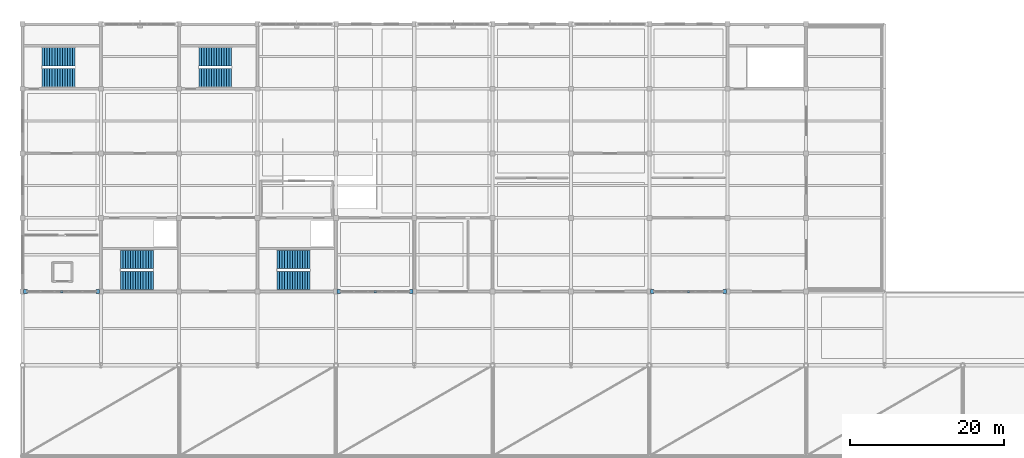
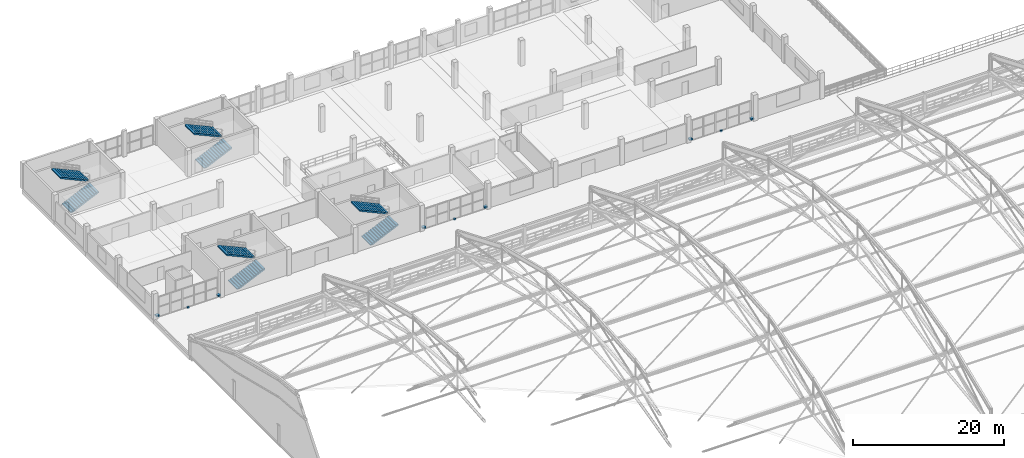
# One storey, part 127 of 135: 9 discrete accessories, 8 stair flights, 4 elements without a shape of their own.
"""IFC4 building model written with IfcOpenShell, lengths in metres."""

from ifc_helpers import new_model, si_unit, direction, frame, origin, origin_2d, place, context, subcontext, project, spatial, polyline, rectangle, outline, extrude, material, type_object, element, aggregate, save


model = new_model("IFC4")

# Units and contexts
model_context = context("Model", 3, precision=1e-05, world=origin(), true_north=direction((0.0, 1.0)))
body_context = subcontext(model_context, "Body", "Model", "MODEL_VIEW")
ifc_project = project(units=[si_unit("LENGTHUNIT", "METRE"), si_unit("AREAUNIT", "SQUARE_METRE"), si_unit("VOLUMEUNIT", "CUBIC_METRE"), si_unit("PLANEANGLEUNIT", "RADIAN"), si_unit("MASSUNIT", "GRAM", prefix="KILO")], contexts=[model_context])

# Site, building, storey
site_placement = place(None, origin())
site = spatial("IfcSite", under=ifc_project, at=site_placement, CompositionType="ELEMENT")
building_placement = place(site_placement, origin())
building = spatial("IfcBuilding", under=site, at=building_placement, Name="Brelvane Convention Centre", CompositionType="ELEMENT")
storey_placement = place(building_placement, frame((0.0, 0.0, 15.0)))
storey = spatial("IfcBuildingStorey", under=building, at=storey_placement, Name="L03", CompositionType="ELEMENT", Elevation=15.0)

# Stair, stair flights
ifc_material_1 = material(Name="Concrete M40", Category="concrete")
stair_type = type_object("IfcStairType", Name="Exit Stair ST-CORE", PredefinedType="HALF_TURN_STAIR", material=ifc_material_1)
stair_1_placement = place(storey_placement, origin())
stair_1 = element("IfcStair", 1, at=stair_1_placement, inside=storey, type_object=stair_type, Name="Exit Stair ST-06 (L03 to L04)", PredefinedType="HALF_TURN_STAIR")
ifc_material_2 = material(Name="Concrete M40", Category="concrete")
stair_flight_type = type_object("IfcStairFlightType", Name="Stair Flight SF-C14", PredefinedType="STRAIGHT", material=ifc_material_2)
stair_flight_1_placement = place(storey_placement, frame((12.75, 110.6298828125, 0.0), z_axis=(0.0, 0.0, 1.0), x_axis=(1.0, 0.0, 0.0)))
stair_flight_1 = element("IfcStairFlight", 2, at=stair_flight_1_placement, type_object=stair_flight_type, Name="Stair ST-06 L03 Flight 1", NumberOfRisers=14, NumberOfTreads=13, PredefinedType="STRAIGHT", RiserHeight=0.15, TreadLength=0.33, context=body_context, shape_type="SweptSolid", body=[
    extrude(outline(polyline([(0.0, 0.0), (0.0, 0.14990234375), (0.330078125, 0.14990234375), (0.330078125, 0.300048828125), (0.659912109375, 0.300048828125), (0.659912109375, 0.449951171875), (0.989990234375, 0.449951171875), (0.989990234375, 0.60009765625), (1.320068359375, 0.60009765625), (1.320068359375, 0.75), (1.64990234375, 0.75), (1.64990234375, 0.89990234375), (1.97998046875, 0.89990234375), (1.97998046875, 1.050048828125), (2.31005859375, 1.050048828125), (2.31005859375, 1.199951171875), (2.639892578125, 1.199951171875), (2.639892578125, 1.35009765625), (2.969970703125, 1.35009765625), (2.969970703125, 1.5), (3.300048828125, 1.5), (3.300048828125, 1.64990234375), (3.6298828125, 1.64990234375), (3.6298828125, 1.800048828125), (3.9599609375, 1.800048828125), (3.9599609375, 1.949951171875), (4.2900390625, 1.949951171875), (4.2900390625, 2.10009765625), (4.2900390625, 1.75244140625), (0.434814453125, 0.0), (0.0, 0.0)])), frame((0.0, 1.18994140625, 0.0), z_axis=(0.0, -1.0, 0.0), x_axis=(1.0, 0.0, 0.0)), (0.0, 0.0, 1.0), 2.3798828125),
])
stair_flight_2_placement = place(storey_placement, frame((17.0400390625, 113.3701171875, 2.10009765625), z_axis=(0.0, 0.0, 1.0), x_axis=(-1.0, 0.0, 0.0)))
stair_flight_2 = element("IfcStairFlight", 3, at=stair_flight_2_placement, type_object=stair_flight_type, Name="Stair ST-06 L03 Flight 2", NumberOfRisers=14, NumberOfTreads=13, PredefinedType="STRAIGHT", RiserHeight=0.15, TreadLength=0.33, context=body_context, shape_type="SweptSolid", body=[
    extrude(outline(polyline([(0.0, 0.0), (0.0, 0.14990234375), (0.330078125, 0.14990234375), (0.330078125, 0.300048828125), (0.659912109375, 0.300048828125), (0.659912109375, 0.449951171875), (0.989990234375, 0.449951171875), (0.989990234375, 0.60009765625), (1.320068359375, 0.60009765625), (1.320068359375, 0.75), (1.64990234375, 0.75), (1.64990234375, 0.89990234375), (1.97998046875, 0.89990234375), (1.97998046875, 1.050048828125), (2.31005859375, 1.050048828125), (2.31005859375, 1.199951171875), (2.639892578125, 1.199951171875), (2.639892578125, 1.35009765625), (2.969970703125, 1.35009765625), (2.969970703125, 1.5), (3.300048828125, 1.5), (3.300048828125, 1.64990234375), (3.6298828125, 1.64990234375), (3.6298828125, 1.800048828125), (3.9599609375, 1.800048828125), (3.9599609375, 1.949951171875), (4.2900390625, 1.949951171875), (4.2900390625, 2.10009765625), (4.2900390625, 1.75244140625), (0.434814453125, 0.0), (0.0, 0.0)])), frame((0.0, 1.18994140625, 0.0), z_axis=(0.0, -1.0, 0.0), x_axis=(1.0, 0.0, 0.0)), (0.0, 0.0, 1.0), 2.3798828125),
])
aggregate(stair_1, [stair_flight_1, stair_flight_2])

stair_2_placement = place(storey_placement, origin())
stair_2 = element("IfcStair", 4, at=stair_2_placement, inside=storey, type_object=stair_type, Name="Exit Stair ST-07 (L03 to L04)", PredefinedType="HALF_TURN_STAIR")
stair_flight_3_placement = place(storey_placement, frame((33.14990234375, 110.6298828125, 0.0), z_axis=(0.0, 0.0, 1.0), x_axis=(1.0, 0.0, 0.0)))
stair_flight_3 = element("IfcStairFlight", 5, at=stair_flight_3_placement, type_object=stair_flight_type, Name="Stair ST-07 L03 Flight 1", NumberOfRisers=14, NumberOfTreads=13, PredefinedType="STRAIGHT", RiserHeight=0.15, TreadLength=0.33, context=body_context, shape_type="SweptSolid", body=[
    extrude(outline(polyline([(0.0, 0.0), (0.0, 0.14990234375), (0.330078125, 0.14990234375), (0.330078125, 0.300048828125), (0.659912109375, 0.300048828125), (0.659912109375, 0.449951171875), (0.989990234375, 0.449951171875), (0.989990234375, 0.60009765625), (1.320068359375, 0.60009765625), (1.320068359375, 0.75), (1.64990234375, 0.75), (1.64990234375, 0.89990234375), (1.97998046875, 0.89990234375), (1.97998046875, 1.050048828125), (2.31005859375, 1.050048828125), (2.31005859375, 1.199951171875), (2.639892578125, 1.199951171875), (2.639892578125, 1.35009765625), (2.969970703125, 1.35009765625), (2.969970703125, 1.5), (3.300048828125, 1.5), (3.300048828125, 1.64990234375), (3.6298828125, 1.64990234375), (3.6298828125, 1.800048828125), (3.9599609375, 1.800048828125), (3.9599609375, 1.949951171875), (4.2900390625, 1.949951171875), (4.2900390625, 2.10009765625), (4.2900390625, 1.75244140625), (0.434814453125, 0.0), (0.0, 0.0)])), frame((0.0, 1.18994140625, 0.0), z_axis=(0.0, -1.0, 0.0), x_axis=(1.0, 0.0, 0.0)), (0.0, 0.0, 1.0), 2.3798828125),
])
stair_flight_4_placement = place(storey_placement, frame((37.43994140625, 113.3701171875, 2.10009765625), z_axis=(0.0, 0.0, 1.0), x_axis=(-1.0, 0.0, 0.0)))
stair_flight_4 = element("IfcStairFlight", 6, at=stair_flight_4_placement, type_object=stair_flight_type, Name="Stair ST-07 L03 Flight 2", NumberOfRisers=14, NumberOfTreads=13, PredefinedType="STRAIGHT", RiserHeight=0.15, TreadLength=0.33, context=body_context, shape_type="SweptSolid", body=[
    extrude(outline(polyline([(0.0, 0.0), (0.0, 0.14990234375), (0.330078125, 0.14990234375), (0.330078125, 0.300048828125), (0.659912109375, 0.300048828125), (0.659912109375, 0.449951171875), (0.989990234375, 0.449951171875), (0.989990234375, 0.60009765625), (1.320068359375, 0.60009765625), (1.320068359375, 0.75), (1.64990234375, 0.75), (1.64990234375, 0.89990234375), (1.97998046875, 0.89990234375), (1.97998046875, 1.050048828125), (2.31005859375, 1.050048828125), (2.31005859375, 1.199951171875), (2.639892578125, 1.199951171875), (2.639892578125, 1.35009765625), (2.969970703125, 1.35009765625), (2.969970703125, 1.5), (3.300048828125, 1.5), (3.300048828125, 1.64990234375), (3.6298828125, 1.64990234375), (3.6298828125, 1.800048828125), (3.9599609375, 1.800048828125), (3.9599609375, 1.949951171875), (4.2900390625, 1.949951171875), (4.2900390625, 2.10009765625), (4.2900390625, 1.75244140625), (0.434814453125, 0.0), (0.0, 0.0)])), frame((0.0, 1.18994140625, 0.0), z_axis=(0.0, -1.0, 0.0), x_axis=(1.0, 0.0, 0.0)), (0.0, 0.0, 1.0), 2.3798828125),
])
aggregate(stair_2, [stair_flight_3, stair_flight_4])

stair_3_placement = place(storey_placement, origin())
stair_3 = element("IfcStair", 7, at=stair_3_placement, inside=storey, type_object=stair_type, Name="Exit Stair ST-13 (L03 to L04)", PredefinedType="HALF_TURN_STAIR")
stair_flight_5_placement = place(storey_placement, frame((22.949951171875, 137.030029296875, 0.0), z_axis=(0.0, 0.0, 1.0), x_axis=(1.0, 0.0, 0.0)))
stair_flight_5 = element("IfcStairFlight", 8, at=stair_flight_5_placement, type_object=stair_flight_type, Name="Stair ST-13 L03 Flight 1", NumberOfRisers=14, NumberOfTreads=13, PredefinedType="STRAIGHT", RiserHeight=0.15, TreadLength=0.33, context=body_context, shape_type="SweptSolid", body=[
    extrude(outline(polyline([(0.0, 0.0), (0.0, 0.14990234375), (0.330078125, 0.14990234375), (0.330078125, 0.300048828125), (0.659912109375, 0.300048828125), (0.659912109375, 0.449951171875), (0.989990234375, 0.449951171875), (0.989990234375, 0.60009765625), (1.320068359375, 0.60009765625), (1.320068359375, 0.75), (1.64990234375, 0.75), (1.64990234375, 0.89990234375), (1.97998046875, 0.89990234375), (1.97998046875, 1.050048828125), (2.31005859375, 1.050048828125), (2.31005859375, 1.199951171875), (2.639892578125, 1.199951171875), (2.639892578125, 1.35009765625), (2.969970703125, 1.35009765625), (2.969970703125, 1.5), (3.300048828125, 1.5), (3.300048828125, 1.64990234375), (3.6298828125, 1.64990234375), (3.6298828125, 1.800048828125), (3.9599609375, 1.800048828125), (3.9599609375, 1.949951171875), (4.2900390625, 1.949951171875), (4.2900390625, 2.10009765625), (4.2900390625, 1.75244140625), (0.434814453125, 0.0), (0.0, 0.0)])), frame((0.0, 1.18994140625, 0.0), z_axis=(0.0, -1.0, 0.0), x_axis=(1.0, 0.0, 0.0)), (0.0, 0.0, 1.0), 2.3798828125),
])
stair_flight_6_placement = place(storey_placement, frame((27.239990234375, 139.77001953125, 2.10009765625), z_axis=(0.0, 0.0, 1.0), x_axis=(-1.0, 0.0, 0.0)))
stair_flight_6 = element("IfcStairFlight", 9, at=stair_flight_6_placement, type_object=stair_flight_type, Name="Stair ST-13 L03 Flight 2", NumberOfRisers=14, NumberOfTreads=13, PredefinedType="STRAIGHT", RiserHeight=0.15, TreadLength=0.33, context=body_context, shape_type="SweptSolid", body=[
    extrude(outline(polyline([(0.0, 0.0), (0.0, 0.14990234375), (0.330078125, 0.14990234375), (0.330078125, 0.300048828125), (0.659912109375, 0.300048828125), (0.659912109375, 0.449951171875), (0.989990234375, 0.449951171875), (0.989990234375, 0.60009765625), (1.320068359375, 0.60009765625), (1.320068359375, 0.75), (1.64990234375, 0.75), (1.64990234375, 0.89990234375), (1.97998046875, 0.89990234375), (1.97998046875, 1.050048828125), (2.31005859375, 1.050048828125), (2.31005859375, 1.199951171875), (2.639892578125, 1.199951171875), (2.639892578125, 1.35009765625), (2.969970703125, 1.35009765625), (2.969970703125, 1.5), (3.300048828125, 1.5), (3.300048828125, 1.64990234375), (3.6298828125, 1.64990234375), (3.6298828125, 1.800048828125), (3.9599609375, 1.800048828125), (3.9599609375, 1.949951171875), (4.2900390625, 1.949951171875), (4.2900390625, 2.10009765625), (4.2900390625, 1.75244140625), (0.434814453125, 0.0), (0.0, 0.0)])), frame((0.0, 1.18994140625, 0.0), z_axis=(0.0, -1.0, 0.0), x_axis=(1.0, 0.0, 0.0)), (0.0, 0.0, 1.0), 2.3798828125),
])
aggregate(stair_3, [stair_flight_5, stair_flight_6])

stair_4_placement = place(storey_placement, origin())
stair_4 = element("IfcStair", 10, at=stair_4_placement, inside=storey, type_object=stair_type, Name="Exit Stair ST-17 (L03 to L04)", PredefinedType="HALF_TURN_STAIR")
stair_flight_7_placement = place(storey_placement, frame((2.550048828125, 137.030029296875, 0.0), z_axis=(0.0, 0.0, 1.0), x_axis=(1.0, 0.0, 0.0)))
stair_flight_7 = element("IfcStairFlight", 11, at=stair_flight_7_placement, type_object=stair_flight_type, Name="Stair ST-17 L03 Flight 1", NumberOfRisers=14, NumberOfTreads=13, PredefinedType="STRAIGHT", RiserHeight=0.15, TreadLength=0.33, context=body_context, shape_type="SweptSolid", body=[
    extrude(outline(polyline([(0.0, 0.0), (0.0, 0.14990234375), (0.330078125, 0.14990234375), (0.330078125, 0.300048828125), (0.659912109375, 0.300048828125), (0.659912109375, 0.449951171875), (0.989990234375, 0.449951171875), (0.989990234375, 0.60009765625), (1.320068359375, 0.60009765625), (1.320068359375, 0.75), (1.64990234375, 0.75), (1.64990234375, 0.89990234375), (1.97998046875, 0.89990234375), (1.97998046875, 1.050048828125), (2.31005859375, 1.050048828125), (2.31005859375, 1.199951171875), (2.639892578125, 1.199951171875), (2.639892578125, 1.35009765625), (2.969970703125, 1.35009765625), (2.969970703125, 1.5), (3.300048828125, 1.5), (3.300048828125, 1.64990234375), (3.6298828125, 1.64990234375), (3.6298828125, 1.800048828125), (3.9599609375, 1.800048828125), (3.9599609375, 1.949951171875), (4.2900390625, 1.949951171875), (4.2900390625, 2.10009765625), (4.2900390625, 1.75244140625), (0.434814453125, 0.0), (0.0, 0.0)])), frame((0.0, 1.18994140625, 0.0), z_axis=(0.0, -1.0, 0.0), x_axis=(1.0, 0.0, 0.0)), (0.0, 0.0, 1.0), 2.3798828125),
])
stair_flight_8_placement = place(storey_placement, frame((6.840087890625, 139.77001953125, 2.10009765625), z_axis=(0.0, 0.0, 1.0), x_axis=(-1.0, 0.0, 0.0)))
stair_flight_8 = element("IfcStairFlight", 12, at=stair_flight_8_placement, type_object=stair_flight_type, Name="Stair ST-17 L03 Flight 2", NumberOfRisers=14, NumberOfTreads=13, PredefinedType="STRAIGHT", RiserHeight=0.15, TreadLength=0.33, context=body_context, shape_type="SweptSolid", body=[
    extrude(outline(polyline([(0.0, 0.0), (0.0, 0.14990234375), (0.330078125, 0.14990234375), (0.330078125, 0.300048828125), (0.659912109375, 0.300048828125), (0.659912109375, 0.449951171875), (0.989990234375, 0.449951171875), (0.989990234375, 0.60009765625), (1.320068359375, 0.60009765625), (1.320068359375, 0.75), (1.64990234375, 0.75), (1.64990234375, 0.89990234375), (1.97998046875, 0.89990234375), (1.97998046875, 1.050048828125), (2.31005859375, 1.050048828125), (2.31005859375, 1.199951171875), (2.639892578125, 1.199951171875), (2.639892578125, 1.35009765625), (2.969970703125, 1.35009765625), (2.969970703125, 1.5), (3.300048828125, 1.5), (3.300048828125, 1.64990234375), (3.6298828125, 1.64990234375), (3.6298828125, 1.800048828125), (3.9599609375, 1.800048828125), (3.9599609375, 1.949951171875), (4.2900390625, 1.949951171875), (4.2900390625, 2.10009765625), (4.2900390625, 1.75244140625), (0.434814453125, 0.0), (0.0, 0.0)])), frame((0.0, 1.18994140625, 0.0), z_axis=(0.0, -1.0, 0.0), x_axis=(1.0, 0.0, 0.0)), (0.0, 0.0, 1.0), 2.3798828125),
])
aggregate(stair_4, [stair_flight_7, stair_flight_8])

# Discrete accessories
ifc_material_3 = material(Name="Steel E350 (350 MPa)", Category="steel")
discrete_accessory_type = type_object("IfcDiscreteAccessoryType", Name="Facade Outrigger Bracket BRK-02", PredefinedType="BRACKET", material=ifc_material_3)
for number, where, z_axis, x_axis, name in (
    (13, (0.389892578125, 109.199951171875, 0.22998046875), (0.0, 0.0, 1.0), (1.0, 0.0, 0.0), "Curtain Wall Anchor Bracket L03-V4S-01-L"),
    (14, (9.81005859375, 109.199951171875, 0.22998046875), (0.0, 0.0, 1.0), (1.0, 0.0, 0.0), "Curtain Wall Anchor Bracket L03-V4S-01-R"),
):
    element("IfcDiscreteAccessory", number, at=place(storey_placement, frame(where, z_axis=z_axis, x_axis=x_axis)), inside=storey, type_object=discrete_accessory_type, Name=name, PredefinedType="BRACKET", context=body_context, shape_type="SweptSolid", body=[
        extrude(rectangle(XDim=0.47998046875, YDim=0.47998046875, at=origin_2d()), origin(), (0.0, 0.0, 1.0), 0.239990234375),
    ])
discrete_accessory_1_placement = place(storey_placement, frame((5.10009765625, 109.199951171875, -0.14013671875), z_axis=(0.0, 0.0, 1.0), x_axis=(1.0, 0.0, 0.0)))
element("IfcDiscreteAccessory", 15, at=discrete_accessory_1_placement, inside=storey, type_object=discrete_accessory_type, Name="Curtain Wall Anchor Bracket L03-V4S-01-B", PredefinedType="BRACKET", context=body_context, shape_type="SweptSolid", body=[
    extrude(rectangle(XDim=0.320068359375, YDim=0.320068359375, at=origin_2d()), origin(), (0.0, 0.0, 1.0), 0.280029296875),
])
for number, where, z_axis, x_axis, name in (
    (16, (41.18994140625, 109.199951171875, 0.22998046875), (0.0, 0.0, 1.0), (1.0, 0.0, 0.0), "Curtain Wall Anchor Bracket L03-V4S-05-L"),
    (17, (50.610107421875, 109.199951171875, 0.22998046875), (0.0, 0.0, 1.0), (1.0, 0.0, 0.0), "Curtain Wall Anchor Bracket L03-V4S-05-R"),
):
    element("IfcDiscreteAccessory", number, at=place(storey_placement, frame(where, z_axis=z_axis, x_axis=x_axis)), inside=storey, type_object=discrete_accessory_type, Name=name, PredefinedType="BRACKET", context=body_context, shape_type="SweptSolid", body=[
        extrude(rectangle(XDim=0.47998046875, YDim=0.47998046875, at=origin_2d()), origin(), (0.0, 0.0, 1.0), 0.239990234375),
    ])
discrete_accessory_2_placement = place(storey_placement, frame((45.89990234375, 109.199951171875, -0.14013671875), z_axis=(0.0, 0.0, 1.0), x_axis=(1.0, 0.0, 0.0)))
element("IfcDiscreteAccessory", 18, at=discrete_accessory_2_placement, inside=storey, type_object=discrete_accessory_type, Name="Curtain Wall Anchor Bracket L03-V4S-05-B", PredefinedType="BRACKET", context=body_context, shape_type="SweptSolid", body=[
    extrude(rectangle(XDim=0.320068359375, YDim=0.320068359375, at=origin_2d()), origin(), (0.0, 0.0, 1.0), 0.280029296875),
])
for number, where, z_axis, x_axis, name in (
    (19, (81.989990234375, 109.199951171875, 0.22998046875), (0.0, 0.0, 1.0), (1.0, 0.0, 0.0), "Curtain Wall Anchor Bracket L03-V4S-09-L"),
    (20, (91.409912109375, 109.199951171875, 0.22998046875), (0.0, 0.0, 1.0), (1.0, 0.0, 0.0), "Curtain Wall Anchor Bracket L03-V4S-09-R"),
):
    element("IfcDiscreteAccessory", number, at=place(storey_placement, frame(where, z_axis=z_axis, x_axis=x_axis)), inside=storey, type_object=discrete_accessory_type, Name=name, PredefinedType="BRACKET", context=body_context, shape_type="SweptSolid", body=[
        extrude(rectangle(XDim=0.47998046875, YDim=0.47998046875, at=origin_2d()), origin(), (0.0, 0.0, 1.0), 0.239990234375),
    ])
discrete_accessory_3_placement = place(storey_placement, frame((86.699951171875, 109.199951171875, -0.14013671875), z_axis=(0.0, 0.0, 1.0), x_axis=(1.0, 0.0, 0.0)))
element("IfcDiscreteAccessory", 21, at=discrete_accessory_3_placement, inside=storey, type_object=discrete_accessory_type, Name="Curtain Wall Anchor Bracket L03-V4S-09-B", PredefinedType="BRACKET", context=body_context, shape_type="SweptSolid", body=[
    extrude(rectangle(XDim=0.320068359375, YDim=0.320068359375, at=origin_2d()), origin(), (0.0, 0.0, 1.0), 0.280029296875),
])

save(model, "model.ifc")
